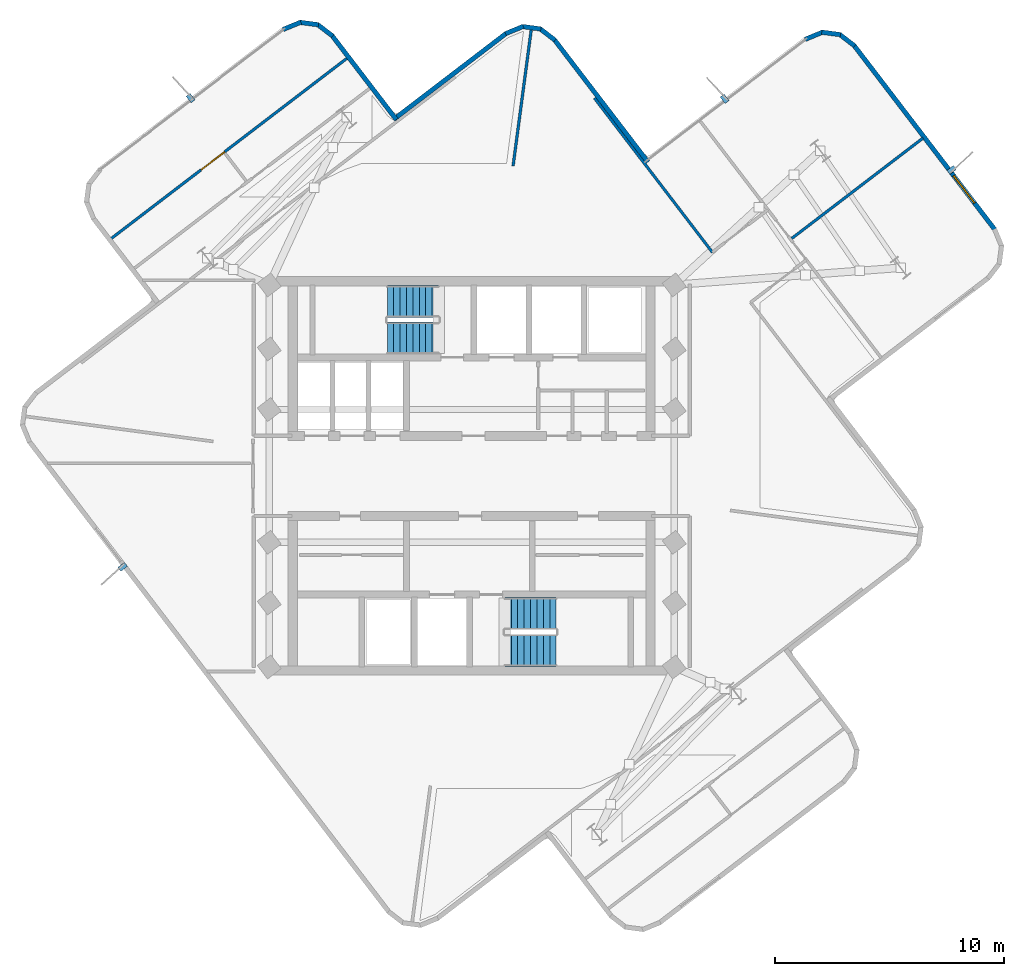
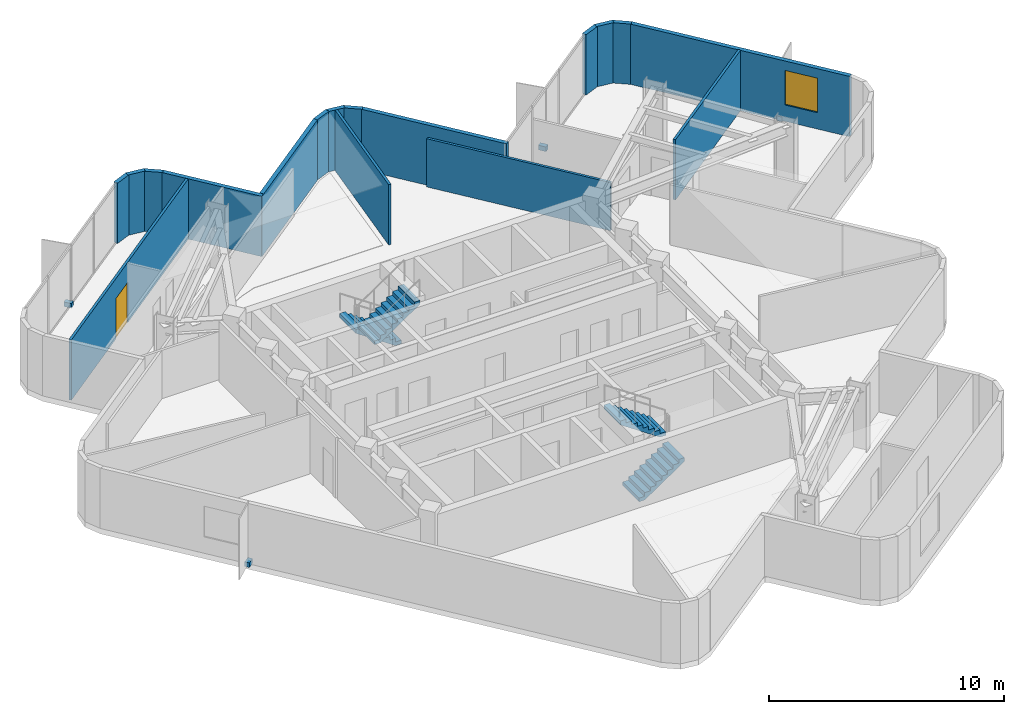
# One storey, part 6 of 8: 17 walls, 4 discrete accessories, 4 stair flights, 1 door, 1 window, 2 openings, 2 elements without a shape of their own.
"""IFC4 building model written with IfcOpenShell, lengths in metres."""

from ifc_helpers import new_model, si_unit, direction, frame, frame_2d, origin, origin_2d, place, context, subcontext, project, spatial, polyline, rectangle, outline, extrude, material, layer, layer_set, type_object, element, fill, aggregate, save


model = new_model("IFC4")

# Units and contexts
model_context = context("Model", 3, precision=1e-05, world=origin(), true_north=direction((0.0, 1.0)))
body_context = subcontext(model_context, "Body", "Model", "MODEL_VIEW")
ifc_project = project(units=[si_unit("LENGTHUNIT", "METRE"), si_unit("AREAUNIT", "SQUARE_METRE"), si_unit("VOLUMEUNIT", "CUBIC_METRE"), si_unit("PLANEANGLEUNIT", "RADIAN"), si_unit("MASSUNIT", "GRAM", prefix="KILO")], contexts=[model_context])

# Site, building, storey
site_placement = place(None, origin())
site = spatial("IfcSite", under=ifc_project, at=site_placement, CompositionType="ELEMENT")
building_placement = place(site_placement, origin())
building = spatial("IfcBuilding", under=site, at=building_placement, Name="Solmarez Civic Tower", CompositionType="ELEMENT")
storey_placement = place(building_placement, frame((0.0, 0.0, 232.56005859375)))
storey = spatial("IfcBuildingStorey", under=building, at=storey_placement, Name="L62", CompositionType="ELEMENT", Elevation=232.56005859375)

# Walls
ifc_material_1 = material(Name="Precast concrete C40/50", Category="concrete")
ifc_layer_1 = layer(ifc_material_1, 0.199951171875)
ifc_layer_set_1 = layer_set([ifc_layer_1], Name="Precast concrete C40/50")
wall_type_1 = type_object("IfcWallType", Name="WALL-EXT-200", PredefinedType="SOLIDWALL", material=ifc_layer_set_1)
wall_1_placement = place(storey_placement, frame((-8.241943359375, 19.510986328125, 0.0), z_axis=(0.0, 0.0, 1.0), x_axis=(0.924091394431, 0.382171551451, 0.0)))
element("IfcWall", 1, at=wall_1_placement, inside=storey, type_object=wall_type_1, Name="L62 Exterior Precast Wall 18", PredefinedType="SOLIDWALL", context=body_context, shape_type="SweptSolid", body=[
    extrude(rectangle(XDim=0.83740234375, YDim=0.199951171875, at=frame_2d((0.418701171875, 0.0))), origin(), (0.0, 0.0, 1.0), 3.139892578125),
])
wall_2_placement = place(storey_placement, frame((-7.51611328125, 19.823974609375, 0.0), z_axis=(0.0, 0.0, 1.0), x_axis=(0.991412958994, -0.130768286444, 0.0)))
element("IfcWall", 2, at=wall_2_placement, inside=storey, type_object=wall_type_1, Name="L62 Exterior Precast Wall 19", PredefinedType="SOLIDWALL", context=body_context, shape_type="SweptSolid", body=[
    extrude(rectangle(XDim=0.8251953125, YDim=0.199951171875, at=frame_2d((0.41259765625, 0.0))), origin(), (0.0, 0.0, 1.0), 3.139892578125),
])
wall_3_placement = place(storey_placement, frame((-6.742919921875, 19.73388671875, 0.0), z_axis=(0.0, 0.0, 1.0), x_axis=(0.792959338773, -0.609274558022, 0.0)))
element("IfcWall", 3, at=wall_3_placement, inside=storey, type_object=wall_type_1, Name="L62 Exterior Precast Wall 20", PredefinedType="SOLIDWALL", context=body_context, shape_type="SweptSolid", body=[
    extrude(rectangle(XDim=0.838623046875, YDim=0.199951171875, at=frame_2d((0.41943359375, 0.0))), origin(), (0.0, 0.0, 1.0), 3.139892578125),
])
wall_4_placement = place(storey_placement, frame((-6.113037109375, 19.258056640625, 0.0), z_axis=(0.0, 0.0, 1.0), x_axis=(0.607327150699, -0.794451843741, 0.0)))
element("IfcWall", 4, at=wall_4_placement, inside=storey, type_object=wall_type_1, Name="L62 Exterior Precast Wall 21", PredefinedType="SOLIDWALL", context=body_context, shape_type="SweptSolid", body=[
    extrude(rectangle(XDim=4.643310546875, YDim=0.199951171875, at=frame_2d((2.32177734375, 0.0))), origin(), (0.0, 0.0, 1.0), 3.139892578125),
])
wall_5_placement = place(storey_placement, frame((-3.406005859375, 15.583984375, 0.0), z_axis=(0.0, 0.0, 1.0), x_axis=(0.794329901805, 0.60748663121, 0.0)))
element("IfcWall", 5, at=wall_5_placement, inside=storey, type_object=wall_type_1, Name="L62 Exterior Precast Wall 24", PredefinedType="SOLIDWALL", context=body_context, shape_type="SweptSolid", body=[
    extrude(rectangle(XDim=6.20263671875, YDim=0.199951171875, at=frame_2d((3.101318359375, 0.0))), origin(), (0.0, 0.0, 1.0), 3.139892578125),
])
wall_6_placement = place(storey_placement, frame((1.47802734375, 19.326904296875, 0.0), z_axis=(0.0, 0.0, 1.0), x_axis=(0.924091394431, 0.382171551451, 0.0)))
element("IfcWall", 6, at=wall_6_placement, inside=storey, type_object=wall_type_1, Name="L62 Exterior Precast Wall 25", PredefinedType="SOLIDWALL", context=body_context, shape_type="SweptSolid", body=[
    extrude(rectangle(XDim=0.83740234375, YDim=0.199951171875, at=frame_2d((0.418701171875, 0.0))), origin(), (0.0, 0.0, 1.0), 3.139892578125),
])
wall_7_placement = place(storey_placement, frame((2.2041015625, 19.639892578125, 0.0), z_axis=(0.0, 0.0, 1.0), x_axis=(0.99140789753, -0.130806653943, 0.0)))
element("IfcWall", 7, at=wall_7_placement, inside=storey, type_object=wall_type_1, Name="L62 Exterior Precast Wall 26", PredefinedType="SOLIDWALL", context=body_context, shape_type="SweptSolid", body=[
    extrude(rectangle(XDim=0.824951171875, YDim=0.199951171875, at=frame_2d((0.41259765625, 0.0))), origin(), (0.0, 0.0, 1.0), 3.139892578125),
])
wall_8_placement = place(storey_placement, frame((2.97705078125, 19.550048828125, 0.0), z_axis=(0.0, 0.0, 1.0), x_axis=(0.792959338773, -0.609274558022, 0.0)))
element("IfcWall", 8, at=wall_8_placement, inside=storey, type_object=wall_type_1, Name="L62 Exterior Precast Wall 27", PredefinedType="SOLIDWALL", context=body_context, shape_type="SweptSolid", body=[
    extrude(rectangle(XDim=0.838623046875, YDim=0.199951171875, at=frame_2d((0.41943359375, 0.0))), origin(), (0.0, 0.0, 1.0), 3.139892578125),
])
wall_9_placement = place(storey_placement, frame((3.60693359375, 19.073974609375, 0.0), z_axis=(0.0, 0.0, 1.0), x_axis=(0.607308983466, -0.794465731546, 0.0)))
element("IfcWall", 9, at=wall_9_placement, inside=storey, type_object=wall_type_1, Name="L62 Exterior Precast Wall 28", PredefinedType="SOLIDWALL", context=body_context, shape_type="SweptSolid", body=[
    extrude(rectangle(XDim=6.742919921875, YDim=0.199951171875, at=frame_2d((3.37158203125, 0.0))), origin(), (0.0, 0.0, 1.0), 3.139892578125),
])
wall_10_placement = place(storey_placement, frame((14.570068359375, 19.077880859375, 0.0), z_axis=(0.0, 0.0, 1.0), x_axis=(0.92426142649, 0.38176015442, 0.0)))
element("IfcWall", 10, at=wall_10_placement, inside=storey, type_object=wall_type_1, Name="L62 Exterior Precast Wall 32", PredefinedType="SOLIDWALL", context=body_context, shape_type="SweptSolid", body=[
    extrude(rectangle(XDim=0.83837890625, YDim=0.199951171875, at=frame_2d((0.419189453125, 0.0))), origin(), (0.0, 0.0, 1.0), 3.139892578125),
])
wall_11_placement = place(storey_placement, frame((15.297119140625, 19.39111328125, 0.0), z_axis=(0.0, 0.0, 1.0), x_axis=(0.991369477691, -0.131097516005, 0.0)))
element("IfcWall", 11, at=wall_11_placement, inside=storey, type_object=wall_type_1, Name="L62 Exterior Precast Wall 33", PredefinedType="SOLIDWALL", context=body_context, shape_type="SweptSolid", body=[
    extrude(rectangle(XDim=0.824951171875, YDim=0.199951171875, at=frame_2d((0.41259765625, 0.0))), origin(), (0.0, 0.0, 1.0), 3.139892578125),
])
wall_12_placement = place(storey_placement, frame((16.070068359375, 19.301025390625, 0.0), z_axis=(0.0, 0.0, 1.0), x_axis=(0.792959338773, -0.609274558022, 0.0)))
element("IfcWall", 12, at=wall_12_placement, inside=storey, type_object=wall_type_1, Name="L62 Exterior Precast Wall 34", PredefinedType="SOLIDWALL", context=body_context, shape_type="SweptSolid", body=[
    extrude(rectangle(XDim=0.838623046875, YDim=0.199951171875, at=frame_2d((0.41943359375, 0.0))), origin(), (0.0, 0.0, 1.0), 3.139892578125),
])

# Wall, opening, window
wall_13_placement = place(storey_placement, frame((16.699951171875, 18.824951171875, 0.0), z_axis=(0.0, 0.0, 1.0), x_axis=(0.607273554345, -0.794492813179, 0.0)))
wall_13 = element("IfcWall", 13, at=wall_13_placement, inside=storey, type_object=wall_type_1, Name="L62 Exterior Precast Wall 35", PredefinedType="SOLIDWALL", context=body_context, shape_type="SweptSolid", body=[
    extrude(rectangle(XDim=10.16357421875, YDim=0.199951171875, at=frame_2d((5.081787109375, 0.0))), origin(), (0.0, 0.0, 1.0), 3.139892578125),
])
opening_1_placement = place(wall_13_placement, frame((7.177978515625, 0.0, 0.85009765625)))
opening_1 = element("IfcOpeningElement", 14, at=opening_1_placement, cuts=wall_13, Name="Opening W-13", PredefinedType="OPENING", context=body_context, shape_type="SweptSolid", body=[
    extrude(rectangle(XDim=1.5, YDim=1.800048828125, at=frame_2d((0.75, 0.89990234375))), frame((0.0, 0.10986328125, 0.0), z_axis=(0.0, -1.0, 0.0), x_axis=(1.0, 0.0, 0.0)), (0.0, 0.0, 1.0), 0.219970703125),
])
ifc_material_2 = material(Name="Solar Control Bronze-Tinted Insulating Glass", Category="glass")
window_type = type_object("IfcWindowType", Name="WIN-1500X1800", PartitioningType="SINGLE_PANEL", PredefinedType="WINDOW", material=ifc_material_2)
window_placement = place(opening_1_placement, origin())
window = element("IfcWindow", 15, at=window_placement, inside=storey, type_object=window_type, Name="L62 Exterior Facade Window 35", OverallHeight=1.800048828125, OverallWidth=1.5, PartitioningType="SINGLE_PANEL", PredefinedType="WINDOW", context=body_context, shape_type="SweptSolid", body=[
    extrude(rectangle(XDim=1.5, YDim=1.800048828125, at=frame_2d((0.75, 0.89990234375))), frame((0.0, 0.030029296875, 0.0), z_axis=(0.0, -1.0, 0.0), x_axis=(1.0, 0.0, 0.0)), (0.0, 0.0, 1.0), 0.06005859375),
])
fill(opening_1, window)

# Walls
ifc_material_3 = material(Name="Gypsum Board Acoustic Steel-Stud Partition", Category="steel")
ifc_layer_2 = layer(ifc_material_3, 0.1201171875)
ifc_layer_set_2 = layer_set([ifc_layer_2], Name="Gypsum Board Acoustic Steel-Stud Partition")
wall_type_2 = type_object("IfcWallType", Name="WALL-INT-PART-120", PredefinedType="PARTITIONING", material=ifc_layer_set_2)
wall_14_placement = place(storey_placement, frame((1.806884765625, 13.5400390625, 0.0), z_axis=(0.0, 0.0, 1.0), x_axis=(0.132245865303, 0.991216944523, 0.0)))
element("IfcWall", 16, at=wall_14_placement, inside=storey, type_object=wall_type_2, Name="L62 Interior Partition PT-L62-QDIV-1", PredefinedType="PARTITIONING", context=body_context, shape_type="SweptSolid", body=[
    extrude(rectangle(XDim=6.034912109375, YDim=0.1201171875, at=frame_2d((3.017578125, 0.0))), origin(), (0.0, 0.0, 1.0), 3.139892578125),
])
wall_15_placement = place(storey_placement, frame((10.52001953125, 9.76806640625, 0.0), z_axis=(0.0, 0.0, 1.0), x_axis=(-0.607441568234, 0.794364362985, 0.0)))
element("IfcWall", 17, at=wall_15_placement, inside=storey, type_object=wall_type_2, Name="L62 Interior Partition PT-L62-E-EFL", PredefinedType="PARTITIONING", context=body_context, shape_type="SweptSolid", body=[
    extrude(rectangle(XDim=8.48974609375, YDim=0.1201171875, at=frame_2d((4.244873046875, 0.0))), origin(), (0.0, 0.0, 1.0), 2.510009765625),
])
wall_16_placement = place(storey_placement, frame((13.98291015625, 10.3759765625, 0.0), z_axis=(0.0, 0.0, 1.0), x_axis=(0.794405792036, 0.607387386747, 0.0)))
element("IfcWall", 18, at=wall_16_placement, inside=storey, type_object=wall_type_2, Name="L62 Interior Partition PT-L62-E-TM", PredefinedType="PARTITIONING", context=body_context, shape_type="SweptSolid", body=[
    extrude(rectangle(XDim=7.224365234375, YDim=0.1201171875, at=frame_2d((3.6123046875, 0.0))), origin(), (0.0, 0.0, 1.0), 3.139892578125),
])

# Wall, opening, door
wall_17_placement = place(storey_placement, frame((-15.77001953125, 10.361083984375, 0.0), z_axis=(0.0, 0.0, 1.0), x_axis=(0.794407900613, 0.607384628916, 0.0)))
wall_17 = element("IfcWall", 19, at=wall_17_placement, inside=storey, type_object=wall_type_2, Name="L62 Interior Partition PT-L62-N-S2", PredefinedType="PARTITIONING", context=body_context, shape_type="SweptSolid", body=[
    extrude(rectangle(XDim=13.009521484375, YDim=0.1201171875, at=frame_2d((6.5048828125, 0.0))), origin(), (0.0, 0.0, 1.0), 3.139892578125),
])
opening_2_placement = place(wall_17_placement, frame((4.9599609375, 0.0, 0.0)))
opening_2 = element("IfcOpeningElement", 20, at=opening_2_placement, cuts=wall_17, Name="Opening D-15", PredefinedType="OPENING", context=body_context, shape_type="SweptSolid", body=[
    extrude(rectangle(XDim=1.300048828125, YDim=2.10009765625, at=frame_2d((0.64990234375, 1.050048828125))), frame((0.0, 0.070068359375, 0.0), z_axis=(0.0, -1.0, 0.0), x_axis=(1.0, 0.0, 0.0)), (0.0, 0.0, 1.0), 0.14013671875),
])
ifc_material_4 = material(Name="Tribunal Hearing Conference Door", Category="wood")
door_type = type_object("IfcDoorType", Name="DOOR-INT-1300", OperationType="NOTDEFINED", PredefinedType="DOOR", material=ifc_material_4)
door_placement = place(opening_2_placement, origin())
door = element("IfcDoor", 21, at=door_placement, inside=storey, type_object=door_type, Name="L62 Municipal Law Library Fourth North Door", OperationType="SINGLE_SWING_LEFT", OverallHeight=2.10009765625, OverallWidth=1.300048828125, PredefinedType="DOOR", context=body_context, shape_type="SweptSolid", body=[
    extrude(rectangle(XDim=1.300048828125, YDim=2.10009765625, at=frame_2d((0.64990234375, 1.050048828125))), frame((0.0, 0.02490234375, 0.0), z_axis=(0.0, -1.0, 0.0), x_axis=(1.0, 0.0, 0.0)), (0.0, 0.0, 1.0), 0.050048828125),
])
fill(opening_2, door)

# Stair, stair flights
ifc_material_5 = material(Name="Concrete C50/60", Category="concrete")
stair_type = type_object("IfcStairType", Name="STAIR-DOGLEG-140W-18R-1900", PredefinedType="HALF_TURN_STAIR", material=ifc_material_5)
stair_1_placement = place(storey_placement, origin())
stair_1 = element("IfcStair", 22, at=stair_1_placement, inside=storey, type_object=stair_type, Name="L62 North Core Protected Exit Stair ST-1", PredefinedType="HALF_TURN_STAIR")
stair_flight_type = type_object("IfcStairFlightType", Name="FLIGHT-DOGLEG-140W-9R-1900", PredefinedType="STRAIGHT", material=ifc_material_5)
stair_flight_1_placement = place(storey_placement, frame((-1.449951171875, 7.6201171875, 0.0), z_axis=(0.0, 0.0, 1.0), x_axis=(-1.0, 0.0, 0.0)))
stair_flight_1 = element("IfcStairFlight", 23, at=stair_flight_1_placement, type_object=stair_flight_type, Name="ST-1 flight 1", NumberOfRisers=9, NumberOfTreads=8, PredefinedType="STRAIGHT", RiserHeight=0.19, TreadLength=0.28, context=body_context, shape_type="SweptSolid", body=[
    extrude(outline(polyline([(0.0, 0.0), (0.0, 0.18994140625), (0.280029296875, 0.18994140625), (0.280029296875, 0.3798828125), (0.56005859375, 0.3798828125), (0.56005859375, 0.570068359375), (0.840087890625, 0.570068359375), (0.840087890625, 0.760009765625), (1.1201171875, 0.760009765625), (1.1201171875, 0.949951171875), (1.39990234375, 0.949951171875), (1.39990234375, 1.139892578125), (1.679931640625, 1.139892578125), (1.679931640625, 1.330078125), (1.9599609375, 1.330078125), (1.9599609375, 1.52001953125), (2.239990234375, 1.52001953125), (2.239990234375, 1.7099609375), (2.239990234375, 1.32666015625), (0.284912109375, 0.0), (0.0, 0.0)])), frame((0.0, 0.699951171875, 0.0), z_axis=(0.0, -1.0, 0.0), x_axis=(1.0, 0.0, 0.0)), (0.0, 0.0, 1.0), 1.39990234375),
])
stair_flight_2_placement = place(storey_placement, frame((-3.68994140625, 6.02001953125, 1.7099609375), z_axis=(0.0, 0.0, 1.0), x_axis=(1.0, 0.0, 0.0)))
stair_flight_2 = element("IfcStairFlight", 24, at=stair_flight_2_placement, type_object=stair_flight_type, Name="ST-1 flight 2", NumberOfRisers=9, NumberOfTreads=8, PredefinedType="STRAIGHT", RiserHeight=0.19, TreadLength=0.28, context=body_context, shape_type="SweptSolid", body=[
    extrude(outline(polyline([(0.0, 0.0), (0.0, 0.18994140625), (0.280029296875, 0.18994140625), (0.280029296875, 0.3798828125), (0.56005859375, 0.3798828125), (0.56005859375, 0.570068359375), (0.840087890625, 0.570068359375), (0.840087890625, 0.760009765625), (1.1201171875, 0.760009765625), (1.1201171875, 0.949951171875), (1.39990234375, 0.949951171875), (1.39990234375, 1.139892578125), (1.679931640625, 1.139892578125), (1.679931640625, 1.330078125), (1.9599609375, 1.330078125), (1.9599609375, 1.52001953125), (2.239990234375, 1.52001953125), (2.239990234375, 1.7099609375), (2.239990234375, 1.32666015625), (0.284912109375, 0.0), (0.0, 0.0)])), frame((0.0, 0.699951171875, 0.0), z_axis=(0.0, -1.0, 0.0), x_axis=(1.0, 0.0, 0.0)), (0.0, 0.0, 1.0), 1.39990234375),
])
aggregate(stair_1, [stair_flight_1, stair_flight_2])

stair_2_placement = place(storey_placement, origin())
stair_2 = element("IfcStair", 25, at=stair_2_placement, inside=storey, type_object=stair_type, Name="L62 South Core Protected Exit Stair ST-2", PredefinedType="HALF_TURN_STAIR")
stair_flight_3_placement = place(storey_placement, frame((1.449951171875, -7.6201171875, 0.0), z_axis=(0.0, 0.0, 1.0), x_axis=(1.0, 0.0, 0.0)))
stair_flight_3 = element("IfcStairFlight", 26, at=stair_flight_3_placement, type_object=stair_flight_type, Name="ST-2 flight 1", NumberOfRisers=9, NumberOfTreads=8, PredefinedType="STRAIGHT", RiserHeight=0.19, TreadLength=0.28, context=body_context, shape_type="SweptSolid", body=[
    extrude(outline(polyline([(0.0, 0.0), (0.0, 0.18994140625), (0.280029296875, 0.18994140625), (0.280029296875, 0.3798828125), (0.56005859375, 0.3798828125), (0.56005859375, 0.570068359375), (0.840087890625, 0.570068359375), (0.840087890625, 0.760009765625), (1.1201171875, 0.760009765625), (1.1201171875, 0.949951171875), (1.39990234375, 0.949951171875), (1.39990234375, 1.139892578125), (1.679931640625, 1.139892578125), (1.679931640625, 1.330078125), (1.9599609375, 1.330078125), (1.9599609375, 1.52001953125), (2.239990234375, 1.52001953125), (2.239990234375, 1.7099609375), (2.239990234375, 1.32666015625), (0.284912109375, 0.0), (0.0, 0.0)])), frame((0.0, 0.699951171875, 0.0), z_axis=(0.0, -1.0, 0.0), x_axis=(1.0, 0.0, 0.0)), (0.0, 0.0, 1.0), 1.39990234375),
])
stair_flight_4_placement = place(storey_placement, frame((3.68994140625, -6.02001953125, 1.7099609375), z_axis=(0.0, 0.0, 1.0), x_axis=(-1.0, 0.0, 0.0)))
stair_flight_4 = element("IfcStairFlight", 27, at=stair_flight_4_placement, type_object=stair_flight_type, Name="ST-2 flight 2", NumberOfRisers=9, NumberOfTreads=8, PredefinedType="STRAIGHT", RiserHeight=0.19, TreadLength=0.28, context=body_context, shape_type="SweptSolid", body=[
    extrude(outline(polyline([(0.0, 0.0), (0.0, 0.18994140625), (0.280029296875, 0.18994140625), (0.280029296875, 0.3798828125), (0.56005859375, 0.3798828125), (0.56005859375, 0.570068359375), (0.840087890625, 0.570068359375), (0.840087890625, 0.760009765625), (1.1201171875, 0.760009765625), (1.1201171875, 0.949951171875), (1.39990234375, 0.949951171875), (1.39990234375, 1.139892578125), (1.679931640625, 1.139892578125), (1.679931640625, 1.330078125), (1.9599609375, 1.330078125), (1.9599609375, 1.52001953125), (2.239990234375, 1.52001953125), (2.239990234375, 1.7099609375), (2.239990234375, 1.32666015625), (0.284912109375, 0.0), (0.0, 0.0)])), frame((0.0, 0.699951171875, 0.0), z_axis=(0.0, -1.0, 0.0), x_axis=(1.0, 0.0, 0.0)), (0.0, 0.0, 1.0), 1.39990234375),
])
aggregate(stair_2, [stair_flight_3, stair_flight_4])

# Discrete accessories
ifc_material_6 = material(Name="Stainless Steel Grade 1.4401", Category="steel")
discrete_accessory_type = type_object("IfcDiscreteAccessoryType", Name="BRACKET-SS-FIN", PredefinedType="BRACKET", material=ifc_material_6)
for number, where, z_axis, x_axis, name in (
    (28, (-15.25390625, -3.971923828125, -0.06005859375), (0.0, 0.0, 1.0), (-0.794423649209, -0.607364030527, 0.0), "L62 Stainless Fin Support Bracket FIN-L62-01"),
    (29, (-12.284912109375, 16.512939453125, -0.06005859375), (0.0, 0.0, 1.0), (-0.607362026974, 0.794425180989, 0.0), "L62 Stainless Fin Support Bracket FIN-L62-02"),
    (30, (11.052001953125, 16.48095703125, -0.06005859375), (0.0, 0.0, 1.0), (-0.607445858996, 0.79436108187, 0.0), "L62 Stainless Fin Support Bracket FIN-L62-03"),
    (31, (20.970947265625, 13.368896484375, -0.06005859375), (0.0, 0.0, 1.0), (0.79447288682, 0.607299623009, 0.0), "L62 Stainless Fin Support Bracket FIN-L62-04"),
):
    element("IfcDiscreteAccessory", number, at=place(storey_placement, frame(where, z_axis=z_axis, x_axis=x_axis)), inside=storey, type_object=discrete_accessory_type, Name=name, PredefinedType="BRACKET", context=body_context, shape_type="SweptSolid", body=[
        extrude(rectangle(XDim=0.360107421875, YDim=0.219970703125, at=origin_2d()), origin(), (0.0, 0.0, 1.0), 0.239990234375),
    ])

save(model, "model.ifc")
